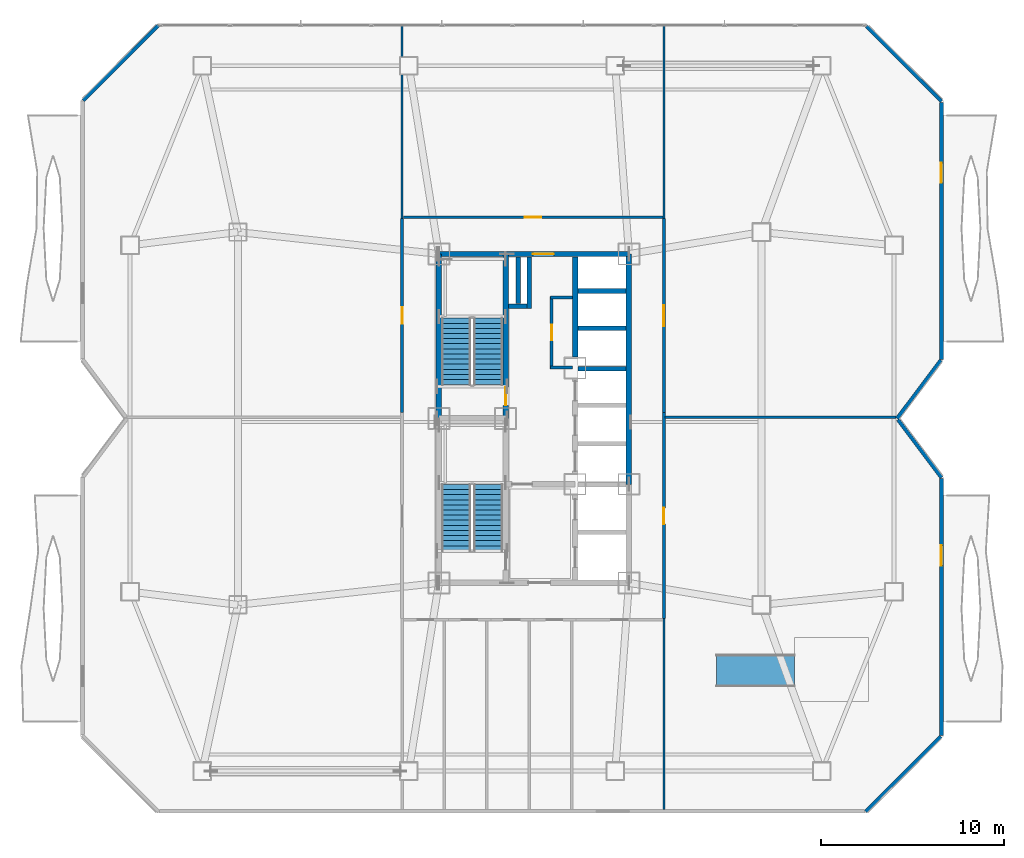
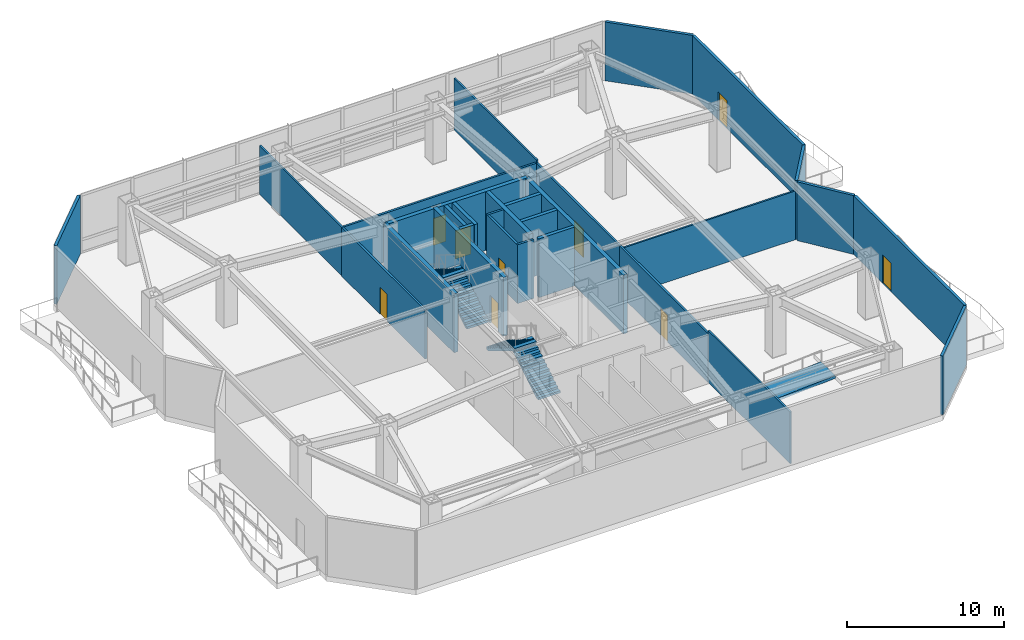
# One storey, part 10 of 14: 29 walls, 9 doors, 4 stair flights, 1 ramp flight, 9 openings, 3 elements without a shape of their own.
"""IFC4 building model written with IfcOpenShell, lengths in metres."""

from ifc_helpers import new_model, si_unit, direction, frame, frame_2d, origin, place, context, subcontext, project, spatial, polyline, rectangle, outline, extrude, material, layer, layer_set, type_object, element, fill, aggregate, save


model = new_model("IFC4")

# Units and contexts
model_context = context("Model", 3, precision=1e-05, world=origin(), true_north=direction((0.0, 1.0)))
body_context = subcontext(model_context, "Body", "Model", "MODEL_VIEW")
ifc_project = project(units=[si_unit("LENGTHUNIT", "METRE"), si_unit("AREAUNIT", "SQUARE_METRE"), si_unit("VOLUMEUNIT", "CUBIC_METRE"), si_unit("PLANEANGLEUNIT", "RADIAN"), si_unit("MASSUNIT", "GRAM", prefix="KILO")], contexts=[model_context])

# Site, building, storey
site_placement = place(None, origin())
site = spatial("IfcSite", under=ifc_project, at=site_placement, CompositionType="ELEMENT")
building_placement = place(site_placement, origin())
building = spatial("IfcBuilding", under=site, at=building_placement, Name="Khamvora Tower", CompositionType="ELEMENT")
storey_placement = place(building_placement, frame((0.0, 0.0, 89.800048828125)))
storey = spatial("IfcBuildingStorey", under=building, at=storey_placement, Name="L22", CompositionType="ELEMENT", Elevation=89.800048828125)

# Wall
ifc_material_1 = material(Name="Concrete C50/60", Category="concrete")
ifc_layer_1 = layer(ifc_material_1, 0.300048828125)
ifc_layer_set_1 = layer_set([ifc_layer_1], Name="Concrete C50/60")
wall_type_1 = type_object("IfcWallType", Name="WAL-CORE-300", PredefinedType="SHEAR", material=ifc_layer_set_1)
wall_1_placement = place(storey_placement, frame((29.0, 28.0, 0.0), z_axis=(0.0, 0.0, 1.0), x_axis=(0.0, 1.0, 0.0)))
element("IfcWall", 1, at=wall_1_placement, inside=storey, type_object=wall_type_1, Name="L22 central core west north wall", PredefinedType="SHEAR", context=body_context, shape_type="SweptSolid", body=[
    extrude(rectangle(XDim=9.0, YDim=0.300048828125, at=frame_2d((4.5, 0.0))), origin(), (0.0, 0.0, 1.0), 4.579833984375),
])

# Wall, opening, door
wall_2_placement = place(storey_placement, frame((29.0, 37.0, 0.0), z_axis=(0.0, 0.0, 1.0), x_axis=(1.0, 0.0, 0.0)))
wall_2 = element("IfcWall", 2, at=wall_2_placement, inside=storey, type_object=wall_type_1, Name="L22 central core north wall", PredefinedType="SHEAR", context=body_context, shape_type="SweptSolid", body=[
    extrude(rectangle(XDim=10.39990234375, YDim=0.300048828125, at=frame_2d((5.199951171875, 0.0))), origin(), (0.0, 0.0, 1.0), 4.579833984375),
])
opening_1_placement = place(wall_2_placement, frame((5.139892578125, 0.0, 0.0)))
opening_1 = element("IfcOpeningElement", 3, at=opening_1_placement, cuts=wall_2, Name="Opening D-SC1", PredefinedType="OPENING", context=body_context, shape_type="SweptSolid", body=[
    extrude(rectangle(XDim=1.14990234375, YDim=2.199951171875, at=frame_2d((0.574951171875, 1.10009765625))), frame((0.0, 0.159912109375, 0.0), z_axis=(0.0, -1.0, 0.0), x_axis=(1.0, 0.0, 0.0)), (0.0, 0.0, 1.0), 0.320068359375),
])
ifc_material_2 = material(Name="Powder-Coated Steel and Hardwood Leaf", Category="steel")
door_type_1 = type_object("IfcDoorType", Name="DOR-SCHL-1150", OperationType="NOTDEFINED", PredefinedType="DOOR", material=ifc_material_2)
door_1_placement = place(opening_1_placement, origin())
door_1 = element("IfcDoor", 4, at=door_1_placement, inside=storey, type_object=door_type_1, Name="L22 north core lobby to corridor fire door", OperationType="SINGLE_SWING_LEFT", OverallHeight=2.199951171875, OverallWidth=1.14990234375, PredefinedType="DOOR", context=body_context, shape_type="SweptSolid", body=[
    extrude(rectangle(XDim=1.14990234375, YDim=2.199951171875, at=frame_2d((0.574951171875, 1.10009765625))), frame((0.0, 0.02490234375, 0.0), z_axis=(0.0, -1.0, 0.0), x_axis=(1.0, 0.0, 0.0)), (0.0, 0.0, 1.0), 0.050048828125),
])
fill(opening_1, door_1)

# Wall
wall_3_placement = place(storey_placement, frame((39.39990234375, 24.39990234375, 0.0), z_axis=(0.0, 0.0, 1.0), x_axis=(0.0, 1.0, 0.0)))
element("IfcWall", 5, at=wall_3_placement, inside=storey, type_object=wall_type_1, Name="L22 central core east north wall", PredefinedType="SHEAR", context=body_context, shape_type="SweptSolid", body=[
    extrude(rectangle(XDim=12.60009765625, YDim=0.300048828125, at=frame_2d((6.300048828125, 0.0))), origin(), (0.0, 0.0, 1.0), 4.579833984375),
])

# Wall, opening, door
wall_4_placement = place(storey_placement, frame((32.64990234375, 28.0, 0.0), z_axis=(0.0, 0.0, 1.0), x_axis=(0.0, 1.0, 0.0)))
wall_4 = element("IfcWall", 6, at=wall_4_placement, inside=storey, type_object=wall_type_1, Name="L22 central core stair north spine wall", PredefinedType="SHEAR", context=body_context, shape_type="SweptSolid", body=[
    extrude(rectangle(XDim=9.0, YDim=0.300048828125, at=frame_2d((4.5, 0.0))), origin(), (0.0, 0.0, 1.0), 4.579833984375),
])
opening_2_placement = place(wall_4_placement, frame((0.719970703125, 0.0, 0.0)))
opening_2 = element("IfcOpeningElement", 7, at=opening_2_placement, cuts=wall_4, Name="Opening D-ST1", PredefinedType="OPENING", context=body_context, shape_type="SweptSolid", body=[
    extrude(rectangle(XDim=1.0, YDim=2.14990234375, at=frame_2d((0.5, 1.074951171875))), frame((0.0, 0.159912109375, 0.0), z_axis=(0.0, -1.0, 0.0), x_axis=(1.0, 0.0, 0.0)), (0.0, 0.0, 1.0), 0.320068359375),
])
door_type_2 = type_object("IfcDoorType", Name="DOR-STAIR-1000", OperationType="NOTDEFINED", PredefinedType="DOOR", material=ifc_material_2)
door_2_placement = place(opening_2_placement, origin())
door_2 = element("IfcDoor", 8, at=door_2_placement, inside=storey, type_object=door_type_2, Name="L22 exit stair ST-02 fire door", OperationType="SINGLE_SWING_RIGHT", OverallHeight=2.14990234375, OverallWidth=1.0, PredefinedType="DOOR", context=body_context, shape_type="SweptSolid", body=[
    extrude(rectangle(XDim=1.0, YDim=2.14990234375, at=frame_2d((0.5, 1.074951171875))), frame((0.0, 0.02490234375, 0.0), z_axis=(0.0, -1.0, 0.0), x_axis=(1.0, 0.0, 0.0)), (0.0, 0.0, 1.0), 0.050048828125),
])
fill(opening_2, door_2)

# Walls
wall_5_placement = place(storey_placement, frame((36.449951171875, 31.35009765625, 0.0), z_axis=(0.0, 0.0, 1.0), x_axis=(0.0, 1.0, 0.0)))
element("IfcWall", 9, at=wall_5_placement, inside=storey, type_object=wall_type_1, Name="L22 central core lift bank north wall", PredefinedType="SHEAR", context=body_context, shape_type="SweptSolid", body=[
    extrude(rectangle(XDim=5.495849609375, YDim=0.300048828125, at=frame_2d((2.748046875, 0.0))), origin(), (0.0, 0.0, 1.0), 4.579833984375),
])
ifc_material_3 = material(Name="Fire-Rated Drywall and Steel Stud", Category="steel")
ifc_layer_2 = layer(ifc_material_3, 0.14990234375)
ifc_layer_set_2 = layer_set([ifc_layer_2], Name="Fire-Rated Drywall and Steel Stud")
wall_type_2 = type_object("IfcWallType", Name="WAL-CORR-150", PredefinedType="STANDARD", material=ifc_layer_set_2)
wall_6_placement = place(storey_placement, frame((36.305908203125, 34.614990234375, 0.0), z_axis=(0.0, 0.0, 1.0), x_axis=(-1.0, 0.0, 0.0)))
element("IfcWall", 10, at=wall_6_placement, inside=storey, type_object=wall_type_2, Name="L22 interior partition wall 001", PredefinedType="STANDARD", context=body_context, shape_type="SweptSolid", body=[
    extrude(rectangle(XDim=1.205810546875, YDim=0.14990234375, at=frame_2d((0.60302734375, 0.0))), origin(), (0.0, 0.0, 1.0), 4.579833984375),
])

# Wall, opening, door
wall_7_placement = place(storey_placement, frame((35.1650390625, 34.677978515625, 0.0), z_axis=(0.0, 0.0, 1.0), x_axis=(0.0, -1.0, 0.0)))
wall_7 = element("IfcWall", 11, at=wall_7_placement, inside=storey, type_object=wall_type_2, Name="L22 interior partition wall 002", PredefinedType="STANDARD", context=body_context, shape_type="SweptSolid", body=[
    extrude(rectangle(XDim=3.9580078125, YDim=0.14990234375, at=frame_2d((1.97900390625, 0.0))), origin(), (0.0, 0.0, 1.0), 4.579833984375),
])
opening_3_placement = place(wall_7_placement, frame((1.553955078125, 0.0, 0.0)))
opening_3 = element("IfcOpeningElement", 12, at=opening_3_placement, cuts=wall_7, Name="Opening D-WC1", PredefinedType="OPENING", context=body_context, shape_type="SweptSolid", body=[
    extrude(rectangle(XDim=0.85009765625, YDim=2.10009765625, at=frame_2d((0.425048828125, 1.050048828125))), frame((0.0, 0.0849609375, 0.0), z_axis=(0.0, -1.0, 0.0), x_axis=(1.0, 0.0, 0.0)), (0.0, 0.0, 1.0), 0.169921875),
])
door_type_3 = type_object("IfcDoorType", Name="DOR-WET-850", OperationType="NOTDEFINED", PredefinedType="DOOR", material=ifc_material_2)
door_3_placement = place(opening_3_placement, origin())
door_3 = element("IfcDoor", 13, at=door_3_placement, inside=storey, type_object=door_type_3, Name="L22 interior door PLL-CS1", OperationType="SINGLE_SWING_RIGHT", OverallHeight=2.10009765625, OverallWidth=0.85009765625, PredefinedType="DOOR", context=body_context, shape_type="SweptSolid", body=[
    extrude(rectangle(XDim=0.85009765625, YDim=2.10009765625, at=frame_2d((0.425048828125, 1.050048828125))), frame((0.0, 0.02490234375, 0.0), z_axis=(0.0, -1.0, 0.0), x_axis=(1.0, 0.0, 0.0)), (0.0, 0.0, 1.0), 0.050048828125),
])
fill(opening_3, door_3)

# Wall
wall_8_placement = place(storey_placement, frame((35.10205078125, 30.784912109375, 0.0), z_axis=(0.0, 0.0, 1.0), x_axis=(1.0, 0.0, 0.0)))
element("IfcWall", 14, at=wall_8_placement, inside=storey, type_object=wall_type_2, Name="L22 interior partition wall 003", PredefinedType="STANDARD", context=body_context, shape_type="SweptSolid", body=[
    extrude(rectangle(XDim=1.197998046875, YDim=0.14990234375, at=frame_2d((0.59912109375, 0.0))), origin(), (0.0, 0.0, 1.0), 4.579833984375),
])

# Wall, opening, door
wall_9_placement = place(storey_placement, frame((41.31494140625, 28.31396484375, 0.0), z_axis=(0.0, 0.0, 1.0), x_axis=(0.0, -1.0, 0.0)))
wall_9 = element("IfcWall", 15, at=wall_9_placement, inside=storey, type_object=wall_type_2, Name="L22 interior partition wall 004", PredefinedType="STANDARD", context=body_context, shape_type="SweptSolid", body=[
    extrude(rectangle(XDim=11.263916015625, YDim=0.14990234375, at=frame_2d((5.6318359375, 0.0))), origin(), (0.0, 0.0, 1.0), 3.796875),
])
opening_4_placement = place(wall_9_placement, frame((5.202880859375, 0.0, 0.0)))
opening_4 = element("IfcOpeningElement", 16, at=opening_4_placement, cuts=wall_9, Name="Opening D-RM1", PredefinedType="OPENING", context=body_context, shape_type="SweptSolid", body=[
    extrude(rectangle(XDim=0.89990234375, YDim=2.10009765625, at=frame_2d((0.449951171875, 1.050048828125))), frame((0.0, 0.0849609375, 0.0), z_axis=(0.0, -1.0, 0.0), x_axis=(1.0, 0.0, 0.0)), (0.0, 0.0, 1.0), 0.169921875),
])
door_type_4 = type_object("IfcDoorType", Name="DOR-ROOM-900", OperationType="NOTDEFINED", PredefinedType="DOOR", material=ifc_material_2)
door_4_placement = place(opening_4_placement, origin())
door_4 = element("IfcDoor", 17, at=door_4_placement, inside=storey, type_object=door_type_4, Name="L22 interior door ACOR-BOTL", OperationType="SINGLE_SWING_LEFT", OverallHeight=2.10009765625, OverallWidth=0.89990234375, PredefinedType="DOOR", context=body_context, shape_type="SweptSolid", body=[
    extrude(rectangle(XDim=0.89990234375, YDim=2.10009765625, at=frame_2d((0.449951171875, 1.050048828125))), frame((0.0, 0.02490234375, 0.0), z_axis=(0.0, -1.0, 0.0), x_axis=(1.0, 0.0, 0.0)), (0.0, 0.0, 1.0), 0.050048828125),
])
fill(opening_4, door_4)

wall_10_placement = place(storey_placement, frame((26.985107421875, 28.31396484375, 0.0), z_axis=(0.0, 0.0, 1.0), x_axis=(0.0, 1.0, 0.0)))
wall_10 = element("IfcWall", 18, at=wall_10_placement, inside=storey, type_object=wall_type_2, Name="L22 interior partition wall 006", PredefinedType="STANDARD", context=body_context, shape_type="SweptSolid", body=[
    extrude(rectangle(XDim=10.635986328125, YDim=0.14990234375, at=frame_2d((5.31787109375, 0.0))), origin(), (0.0, 0.0, 1.0), 3.796875),
])
opening_5_placement = place(wall_10_placement, frame((4.867919921875, 0.0, 0.0)))
opening_5 = element("IfcOpeningElement", 19, at=opening_5_placement, cuts=wall_10, Name="Opening D-RM1", PredefinedType="OPENING", context=body_context, shape_type="SweptSolid", body=[
    extrude(rectangle(XDim=0.89990234375, YDim=2.10009765625, at=frame_2d((0.449951171875, 1.050048828125))), frame((0.0, 0.0849609375, 0.0), z_axis=(0.0, -1.0, 0.0), x_axis=(1.0, 0.0, 0.0)), (0.0, 0.0, 1.0), 0.169921875),
])
door_5_placement = place(opening_5_placement, origin())
door_5 = element("IfcDoor", 20, at=door_5_placement, inside=storey, type_object=door_type_4, Name="L22 interior door ACOR-PLAY", OperationType="SINGLE_SWING_LEFT", OverallHeight=2.10009765625, OverallWidth=0.89990234375, PredefinedType="DOOR", context=body_context, shape_type="SweptSolid", body=[
    extrude(rectangle(XDim=0.89990234375, YDim=2.10009765625, at=frame_2d((0.449951171875, 1.050048828125))), frame((0.0, 0.02490234375, 0.0), z_axis=(0.0, -1.0, 0.0), x_axis=(1.0, 0.0, 0.0)), (0.0, 0.0, 1.0), 0.050048828125),
])
fill(opening_5, door_5)

wall_11_placement = place(storey_placement, frame((41.31494140625, 38.949951171875, 0.0), z_axis=(0.0, 0.0, 1.0), x_axis=(0.0, -1.0, 0.0)))
wall_11 = element("IfcWall", 21, at=wall_11_placement, inside=storey, type_object=wall_type_2, Name="L22 interior partition wall 007", PredefinedType="STANDARD", context=body_context, shape_type="SweptSolid", body=[
    extrude(rectangle(XDim=10.635986328125, YDim=0.14990234375, at=frame_2d((5.31787109375, 0.0))), origin(), (0.0, 0.0, 1.0), 3.796875),
])
opening_6_placement = place(wall_11_placement, frame((4.742919921875, 0.0, 0.0)))
opening_6 = element("IfcOpeningElement", 22, at=opening_6_placement, cuts=wall_11, Name="Opening D-SC1", PredefinedType="OPENING", context=body_context, shape_type="SweptSolid", body=[
    extrude(rectangle(XDim=1.14990234375, YDim=2.199951171875, at=frame_2d((0.574951171875, 1.10009765625))), frame((0.0, 0.0849609375, 0.0), z_axis=(0.0, -1.0, 0.0), x_axis=(1.0, 0.0, 0.0)), (0.0, 0.0, 1.0), 0.169921875),
])
door_6_placement = place(opening_6_placement, origin())
door_6 = element("IfcDoor", 23, at=door_6_placement, inside=storey, type_object=door_type_1, Name="L22 interior door ACOR-YOGA", OperationType="SINGLE_SWING_RIGHT", OverallHeight=2.199951171875, OverallWidth=1.14990234375, PredefinedType="DOOR", context=body_context, shape_type="SweptSolid", body=[
    extrude(rectangle(XDim=1.14990234375, YDim=2.199951171875, at=frame_2d((0.574951171875, 1.10009765625))), frame((0.0, 0.02490234375, 0.0), z_axis=(0.0, -1.0, 0.0), x_axis=(1.0, 0.0, 0.0)), (0.0, 0.0, 1.0), 0.050048828125),
])
fill(opening_6, door_6)

wall_12_placement = place(storey_placement, frame((27.050048828125, 39.014892578125, 0.0), z_axis=(0.0, 0.0, 1.0), x_axis=(1.0, 0.0, 0.0)))
wall_12 = element("IfcWall", 24, at=wall_12_placement, inside=storey, type_object=wall_type_2, Name="L22 interior partition wall 013", PredefinedType="STANDARD", context=body_context, shape_type="SweptSolid", body=[
    extrude(rectangle(XDim=14.199951171875, YDim=0.14990234375, at=frame_2d((7.10009765625, 0.0))), origin(), (0.0, 0.0, 1.0), 3.796875),
])
opening_7_placement = place(wall_12_placement, frame((6.64990234375, 0.0, 0.0)))
opening_7 = element("IfcOpeningElement", 25, at=opening_7_placement, cuts=wall_12, Name="Opening D-RM1", PredefinedType="OPENING", context=body_context, shape_type="SweptSolid", body=[
    extrude(rectangle(XDim=0.89990234375, YDim=2.10009765625, at=frame_2d((0.449951171875, 1.050048828125))), frame((0.0, 0.0849609375, 0.0), z_axis=(0.0, -1.0, 0.0), x_axis=(1.0, 0.0, 0.0)), (0.0, 0.0, 1.0), 0.169921875),
])
door_7_placement = place(opening_7_placement, origin())
door_7 = element("IfcDoor", 26, at=door_7_placement, inside=storey, type_object=door_type_4, Name="L22 interior door ACOR-ASTR", OperationType="SINGLE_SWING_RIGHT", OverallHeight=2.10009765625, OverallWidth=0.89990234375, PredefinedType="DOOR", context=body_context, shape_type="SweptSolid", body=[
    extrude(rectangle(XDim=0.89990234375, YDim=2.10009765625, at=frame_2d((0.449951171875, 1.050048828125))), frame((0.0, 0.02490234375, 0.0), z_axis=(0.0, -1.0, 0.0), x_axis=(1.0, 0.0, 0.0)), (0.0, 0.0, 1.0), 0.050048828125),
])
fill(opening_7, door_7)

# Walls
ifc_material_4 = material(Name="Precast concrete C40/50", Category="concrete")
ifc_layer_3 = layer(ifc_material_4, 0.199951171875)
ifc_layer_set_3 = layer_set([ifc_layer_3], Name="Precast concrete C40/50")
wall_type_3 = type_object("IfcWallType", Name="WAL-EXT-200", PredefinedType="STANDARD", material=ifc_layer_set_3)
wall_13_placement = place(storey_placement, frame((9.5439453125, 45.403076171875, 0.0), z_axis=(0.0, 0.0, 1.0), x_axis=(0.707127848917, 0.707085712828, 0.0)))
element("IfcWall", 27, at=wall_13_placement, inside=storey, type_object=wall_type_3, Name="L22 exterior facade wall 06.1", PredefinedType="STANDARD", context=body_context, shape_type="SweptSolid", body=[
    extrude(rectangle(XDim=5.794189453125, YDim=0.199951171875, at=frame_2d((2.89697265625, 0.0))), origin(), (0.0, 0.0, 1.0), 4.579833984375),
])
wall_14_placement = place(storey_placement, frame((52.404052734375, 49.455078125, 0.0), z_axis=(0.0, 0.0, 1.0), x_axis=(0.707085707805, -0.70712785394, 0.0)))
element("IfcWall", 28, at=wall_14_placement, inside=storey, type_object=wall_type_3, Name="L22 exterior facade wall 08.1", PredefinedType="STANDARD", context=body_context, shape_type="SweptSolid", body=[
    extrude(rectangle(XDim=5.792724609375, YDim=0.199951171875, at=frame_2d((2.896484375, 0.0))), origin(), (0.0, 0.0, 1.0), 4.579833984375),
])

# Wall, opening, door
wall_15_placement = place(storey_placement, frame((56.5, 45.2958984375, 0.0), z_axis=(0.0, 0.0, 1.0), x_axis=(0.0, -1.0, 0.0)))
wall_15 = element("IfcWall", 29, at=wall_15_placement, inside=storey, type_object=wall_type_3, Name="L22 exterior facade wall 09.1", PredefinedType="STANDARD", context=body_context, shape_type="SweptSolid", body=[
    extrude(rectangle(XDim=14.06298828125, YDim=0.199951171875, at=frame_2d((7.031494140625, 0.0))), origin(), (0.0, 0.0, 1.0), 4.579833984375),
])
opening_8_placement = place(wall_15_placement, frame((3.302978515625, 0.0, 0.0)))
opening_8 = element("IfcOpeningElement", 30, at=opening_8_placement, cuts=wall_15, Name="Opening BD-01", PredefinedType="OPENING", context=body_context, shape_type="SweptSolid", body=[
    extrude(rectangle(XDim=1.10009765625, YDim=2.199951171875, at=frame_2d((0.550048828125, 1.10009765625))), frame((0.0, 0.10986328125, 0.0), z_axis=(0.0, -1.0, 0.0), x_axis=(1.0, 0.0, 0.0)), (0.0, 0.0, 1.0), 0.219970703125),
])
ifc_material_5 = material(Name="Anodised Aluminium and Laminated Safety Glass", Category="aluminium")
door_type_5 = type_object("IfcDoorType", Name="DOR-BAL-1100", OperationType="NOTDEFINED", PredefinedType="DOOR", material=ifc_material_5)
door_8_placement = place(opening_8_placement, origin())
door_8 = element("IfcDoor", 31, at=door_8_placement, inside=storey, type_object=door_type_5, Name="L22 lens gallery balcony door EL2", OperationType="SLIDING_TO_LEFT", OverallHeight=2.199951171875, OverallWidth=1.10009765625, PredefinedType="DOOR", context=body_context, shape_type="SweptSolid", body=[
    extrude(rectangle(XDim=1.10009765625, YDim=2.199951171875, at=frame_2d((0.550048828125, 1.10009765625))), frame((0.0, 0.02490234375, 0.0), z_axis=(0.0, -1.0, 0.0), x_axis=(1.0, 0.0, 0.0)), (0.0, 0.0, 1.0), 0.050048828125),
])
fill(opening_8, door_8)

# Walls
wall_16_placement = place(storey_placement, frame((56.468994140625, 31.19091796875, 0.0), z_axis=(0.0, 0.0, 1.0), x_axis=(-0.600137081448, -0.799897170561, 0.0)))
element("IfcWall", 32, at=wall_16_placement, inside=storey, type_object=wall_type_3, Name="L22 exterior facade wall 10.1", PredefinedType="STANDARD", context=body_context, shape_type="SweptSolid", body=[
    extrude(rectangle(XDim=3.9892578125, YDim=0.199951171875, at=frame_2d((1.99462890625, 0.0))), origin(), (0.0, 0.0, 1.0), 4.579833984375),
])
wall_17_placement = place(storey_placement, frame((54.126953125, 27.930908203125, 0.0), z_axis=(0.0, 0.0, 1.0), x_axis=(0.600029630681, -0.799977776132, 0.0)))
element("IfcWall", 33, at=wall_17_placement, inside=storey, type_object=wall_type_3, Name="L22 exterior facade wall 11.1", PredefinedType="STANDARD", context=body_context, shape_type="SweptSolid", body=[
    extrude(rectangle(XDim=3.954833984375, YDim=0.199951171875, at=frame_2d((1.9775390625, 0.0))), origin(), (0.0, 0.0, 1.0), 4.579833984375),
])

# Wall, opening, door
wall_18_placement = place(storey_placement, frame((56.5, 24.717041015625, 0.0), z_axis=(0.0, 0.0, 1.0), x_axis=(0.0, -1.0, 0.0)))
wall_18 = element("IfcWall", 34, at=wall_18_placement, inside=storey, type_object=wall_type_3, Name="L22 exterior facade wall 12.1", PredefinedType="STANDARD", context=body_context, shape_type="SweptSolid", body=[
    extrude(rectangle(XDim=14.075927734375, YDim=0.199951171875, at=frame_2d((7.0380859375, 0.0))), origin(), (0.0, 0.0, 1.0), 4.579833984375),
])
opening_9_placement = place(wall_18_placement, frame((3.6640625, 0.0, 0.0)))
opening_9 = element("IfcOpeningElement", 35, at=opening_9_placement, cuts=wall_18, Name="Opening BD-01", PredefinedType="OPENING", context=body_context, shape_type="SweptSolid", body=[
    extrude(rectangle(XDim=1.10009765625, YDim=2.199951171875, at=frame_2d((0.550048828125, 1.10009765625))), frame((0.0, 0.10986328125, 0.0), z_axis=(0.0, -1.0, 0.0), x_axis=(1.0, 0.0, 0.0)), (0.0, 0.0, 1.0), 0.219970703125),
])
door_9_placement = place(opening_9_placement, origin())
door_9 = element("IfcDoor", 36, at=door_9_placement, inside=storey, type_object=door_type_5, Name="L22 lens gallery balcony door EL1", OperationType="SLIDING_TO_LEFT", OverallHeight=2.199951171875, OverallWidth=1.10009765625, PredefinedType="DOOR", context=body_context, shape_type="SweptSolid", body=[
    extrude(rectangle(XDim=1.10009765625, YDim=2.199951171875, at=frame_2d((0.550048828125, 1.10009765625))), frame((0.0, 0.02490234375, 0.0), z_axis=(0.0, -1.0, 0.0), x_axis=(1.0, 0.0, 0.0)), (0.0, 0.0, 1.0), 0.050048828125),
])
fill(opening_9, door_9)

# Walls
wall_19_placement = place(storey_placement, frame((56.45703125, 10.597900390625, 0.0), z_axis=(0.0, 0.0, 1.0), x_axis=(-0.707127843897, -0.707085717849, 0.0)))
element("IfcWall", 37, at=wall_19_placement, inside=storey, type_object=wall_type_3, Name="L22 exterior facade wall 13.1", PredefinedType="STANDARD", context=body_context, shape_type="SweptSolid", body=[
    extrude(rectangle(XDim=5.79541015625, YDim=0.199951171875, at=frame_2d((2.897705078125, 0.0))), origin(), (0.0, 0.0, 1.0), 4.579833984375),
])
ifc_material_6 = material(Name="Gypsum Plasterboard Partition", Category="gypsum")
ifc_layer_4 = layer(ifc_material_6, 0.1201171875)
ifc_layer_set_4 = layer_set([ifc_layer_4], Name="Gypsum Plasterboard Partition")
wall_type_4 = type_object("IfcWallType", Name="WAL-PART-120", PredefinedType="PARTITIONING", material=ifc_layer_set_4)
wall_20_placement = place(storey_placement, frame((41.3798828125, 28.06494140625, 0.0), z_axis=(0.0, 0.0, 1.0), x_axis=(1.0, 0.0, 0.0)))
element("IfcWall", 38, at=wall_20_placement, inside=storey, type_object=wall_type_4, Name="L22 interior partition wall 014", PredefinedType="PARTITIONING", context=body_context, shape_type="SweptSolid", body=[
    extrude(rectangle(XDim=12.64501953125, YDim=0.1201171875, at=frame_2d((6.322509765625, 0.0))), origin(), (0.0, 0.0, 1.0), 3.796875),
])
wall_21_placement = place(storey_placement, frame((41.31494140625, 6.592041015625, 0.0), z_axis=(0.0, 0.0, 1.0), x_axis=(0.0, 1.0, 0.0)))
element("IfcWall", 39, at=wall_21_placement, inside=storey, type_object=wall_type_4, Name="L22 interior partition wall 015", PredefinedType="PARTITIONING", context=body_context, shape_type="SweptSolid", body=[
    extrude(rectangle(XDim=10.4580078125, YDim=0.1201171875, at=frame_2d((5.22900390625, 0.0))), origin(), (0.0, 0.0, 1.0), 4.02587890625),
])
wall_22_placement = place(storey_placement, frame((26.985107421875, 49.489990234375, 0.0), z_axis=(0.0, 0.0, 1.0), x_axis=(0.0, -1.0, 0.0)))
element("IfcWall", 40, at=wall_22_placement, inside=storey, type_object=wall_type_4, Name="L22 interior partition wall 018", PredefinedType="PARTITIONING", context=body_context, shape_type="SweptSolid", body=[
    extrude(rectangle(XDim=10.5400390625, YDim=0.1201171875, at=frame_2d((5.27001953125, 0.0))), origin(), (0.0, 0.0, 1.0), 3.796875),
])
wall_23_placement = place(storey_placement, frame((41.31494140625, 38.949951171875, 0.0), z_axis=(0.0, 0.0, 1.0), x_axis=(0.0, 1.0, 0.0)))
element("IfcWall", 41, at=wall_23_placement, inside=storey, type_object=wall_type_4, Name="L22 interior partition wall 019", PredefinedType="PARTITIONING", context=body_context, shape_type="SweptSolid", body=[
    extrude(rectangle(XDim=10.5400390625, YDim=0.1201171875, at=frame_2d((5.27001953125, 0.0))), origin(), (0.0, 0.0, 1.0), 4.02587890625),
])
ifc_material_7 = material(Name="Concrete C40/50", Category="concrete")
ifc_layer_5 = layer(ifc_material_7, 0.25)
ifc_layer_set_5 = layer_set([ifc_layer_5], Name="Concrete C40/50")
wall_type_5 = type_object("IfcWallType", Name="WAL-PODS-250", PredefinedType="SHEAR", material=ifc_layer_set_5)
for number, where, z_axis, x_axis, name in (
    (42, (36.60400390625, 30.72509765625, 0.0), (0.0, 0.0, 1.0), (1.0, 0.0, 0.0), "L22 lift shaft divider wall PL-03"),
    (43, (36.60400390625, 32.925048828125, 0.0), (0.0, 0.0, 1.0), (1.0, 0.0, 0.0), "L22 lift shaft divider wall PH-01"),
    (44, (36.60400390625, 34.97509765625, 0.0), (0.0, 0.0, 1.0), (1.0, 0.0, 0.0), "L22 lift shaft divider wall PH-02"),
):
    element("IfcWall", number, at=place(storey_placement, frame(where, z_axis=z_axis, x_axis=x_axis)), inside=storey, type_object=wall_type_5, Name=name, PredefinedType="SHEAR", context=body_context, shape_type="SweptSolid", body=[
        extrude(rectangle(XDim=2.64208984375, YDim=0.25, at=frame_2d((1.321044921875, 0.0))), origin(), (0.0, 0.0, 1.0), 4.579833984375),
    ])
wall_24_placement = place(storey_placement, frame((33.955078125, 34.02490234375, 0.0), z_axis=(0.0, 0.0, 1.0), x_axis=(0.0, 1.0, 0.0)))
element("IfcWall", 45, at=wall_24_placement, inside=storey, type_object=wall_type_5, Name="L22 vertical MEP riser shaft east enclosure wall", PredefinedType="SHEAR", context=body_context, shape_type="SweptSolid", body=[
    extrude(rectangle(XDim=2.821044921875, YDim=0.25, at=frame_2d((1.41064453125, 0.0))), origin(), (0.0, 0.0, 1.0), 4.579833984375),
])
wall_25_placement = place(storey_placement, frame((32.803955078125, 34.14990234375, 0.0), z_axis=(0.0, 0.0, 1.0), x_axis=(1.0, 0.0, 0.0)))
element("IfcWall", 46, at=wall_25_placement, inside=storey, type_object=wall_type_5, Name="L22 vertical MEP riser shaft south enclosure wall", PredefinedType="SHEAR", context=body_context, shape_type="SweptSolid", body=[
    extrude(rectangle(XDim=1.02197265625, YDim=0.25, at=frame_2d((0.510986328125, 0.0))), origin(), (0.0, 0.0, 1.0), 4.579833984375),
])
wall_26_placement = place(storey_placement, frame((33.340087890625, 34.279052734375, 0.0), z_axis=(0.0, 0.0, 1.0), x_axis=(0.0, 1.0, 0.0)))
element("IfcWall", 47, at=wall_26_placement, inside=storey, type_object=wall_type_5, Name="L22 vertical MEP riser shaft divider enclosure wall", PredefinedType="SHEAR", context=body_context, shape_type="SweptSolid", body=[
    extrude(rectangle(XDim=2.56689453125, YDim=0.25, at=frame_2d((1.283447265625, 0.0))), origin(), (0.0, 0.0, 1.0), 4.579833984375),
])

# Stair, stair flights
stair_type_1 = type_object("IfcStairType", Name="STR-ST-01", PredefinedType="HALF_TURN_STAIR", material=ifc_material_7)
stair_1_placement = place(storey_placement, origin())
stair_1 = element("IfcStair", 48, at=stair_1_placement, inside=storey, type_object=stair_type_1, Name="L22 South Tower Exit Stair ST-01", PredefinedType="HALF_TURN_STAIR")
stair_flight_type_1 = type_object("IfcStairFlightType", Name="STF-ST-01", PredefinedType="STRAIGHT", material=ifc_material_7)
stair_flight_1_placement = place(storey_placement, frame((31.699951171875, 20.75, 0.0), z_axis=(0.0, 0.0, 1.0), x_axis=(0.0, 1.0, 0.0)))
stair_flight_1 = element("IfcStairFlight", 49, at=stair_flight_1_placement, type_object=stair_flight_type_1, Name="ST-01 flight 1", NumberOfRisers=14, NumberOfTreads=13, PredefinedType="STRAIGHT", RiserHeight=0.171428571, TreadLength=0.28, context=body_context, shape_type="SweptSolid", body=[
    extrude(outline(polyline([(0.0, 0.0), (0.0, 0.17138671875), (0.280029296875, 0.17138671875), (0.280029296875, 0.3427734375), (0.56005859375, 0.3427734375), (0.56005859375, 0.514404296875), (0.840087890625, 0.514404296875), (0.840087890625, 0.685791015625), (1.1201171875, 0.685791015625), (1.1201171875, 0.857177734375), (1.39990234375, 0.857177734375), (1.39990234375, 1.028564453125), (1.679931640625, 1.028564453125), (1.679931640625, 1.199951171875), (1.9599609375, 1.199951171875), (1.9599609375, 1.371337890625), (2.239990234375, 1.371337890625), (2.239990234375, 1.54296875), (2.52001953125, 1.54296875), (2.52001953125, 1.71435546875), (2.800048828125, 1.71435546875), (2.800048828125, 1.8857421875), (3.080078125, 1.8857421875), (3.080078125, 2.05712890625), (3.360107421875, 2.05712890625), (3.360107421875, 2.228515625), (3.639892578125, 2.228515625), (3.639892578125, 2.39990234375), (3.639892578125, 2.052734375), (0.287109375, 0.0), (0.0, 0.0)])), frame((0.0, 0.800048828125, 0.0), z_axis=(0.0, -1.0, 0.0), x_axis=(1.0, 0.0, 0.0)), (0.0, 0.0, 1.0), 1.60009765625),
])
stair_flight_2_placement = place(storey_placement, frame((29.949951171875, 24.389892578125, 2.39990234375), z_axis=(0.0, 0.0, 1.0), x_axis=(0.0, -1.0, 0.0)))
stair_flight_2 = element("IfcStairFlight", 50, at=stair_flight_2_placement, type_object=stair_flight_type_1, Name="ST-01 flight 2", NumberOfRisers=14, NumberOfTreads=13, PredefinedType="STRAIGHT", RiserHeight=0.171428571, TreadLength=0.28, context=body_context, shape_type="SweptSolid", body=[
    extrude(outline(polyline([(0.0, 0.0), (0.0, 0.17138671875), (0.280029296875, 0.17138671875), (0.280029296875, 0.3427734375), (0.56005859375, 0.3427734375), (0.56005859375, 0.514404296875), (0.840087890625, 0.514404296875), (0.840087890625, 0.685791015625), (1.1201171875, 0.685791015625), (1.1201171875, 0.857177734375), (1.39990234375, 0.857177734375), (1.39990234375, 1.028564453125), (1.679931640625, 1.028564453125), (1.679931640625, 1.199951171875), (1.9599609375, 1.199951171875), (1.9599609375, 1.371337890625), (2.239990234375, 1.371337890625), (2.239990234375, 1.54296875), (2.52001953125, 1.54296875), (2.52001953125, 1.71435546875), (2.800048828125, 1.71435546875), (2.800048828125, 1.8857421875), (3.080078125, 1.8857421875), (3.080078125, 2.05712890625), (3.360107421875, 2.05712890625), (3.360107421875, 2.228515625), (3.639892578125, 2.228515625), (3.639892578125, 2.39990234375), (3.639892578125, 2.052734375), (0.287109375, 0.0), (0.0, 0.0)])), frame((0.0, 0.800048828125, 0.0), z_axis=(0.0, -1.0, 0.0), x_axis=(1.0, 0.0, 0.0)), (0.0, 0.0, 1.0), 1.60009765625),
])
aggregate(stair_1, [stair_flight_1, stair_flight_2])

stair_type_2 = type_object("IfcStairType", Name="STR-ST-02", PredefinedType="HALF_TURN_STAIR", material=ifc_material_7)
stair_2_placement = place(storey_placement, origin())
stair_2 = element("IfcStair", 51, at=stair_2_placement, inside=storey, type_object=stair_type_2, Name="L22 North Tower Exit Stair ST-02", PredefinedType="HALF_TURN_STAIR")
stair_flight_type_2 = type_object("IfcStairFlightType", Name="STF-ST-02", PredefinedType="STRAIGHT", material=ifc_material_7)
stair_flight_3_placement = place(storey_placement, frame((31.699951171875, 29.85009765625, 0.0), z_axis=(0.0, 0.0, 1.0), x_axis=(0.0, 1.0, 0.0)))
stair_flight_3 = element("IfcStairFlight", 52, at=stair_flight_3_placement, type_object=stair_flight_type_2, Name="ST-02 flight 1", NumberOfRisers=14, NumberOfTreads=13, PredefinedType="STRAIGHT", RiserHeight=0.171428571, TreadLength=0.28, context=body_context, shape_type="SweptSolid", body=[
    extrude(outline(polyline([(0.0, 0.0), (0.0, 0.17138671875), (0.280029296875, 0.17138671875), (0.280029296875, 0.3427734375), (0.56005859375, 0.3427734375), (0.56005859375, 0.514404296875), (0.840087890625, 0.514404296875), (0.840087890625, 0.685791015625), (1.1201171875, 0.685791015625), (1.1201171875, 0.857177734375), (1.39990234375, 0.857177734375), (1.39990234375, 1.028564453125), (1.679931640625, 1.028564453125), (1.679931640625, 1.199951171875), (1.9599609375, 1.199951171875), (1.9599609375, 1.371337890625), (2.239990234375, 1.371337890625), (2.239990234375, 1.54296875), (2.52001953125, 1.54296875), (2.52001953125, 1.71435546875), (2.800048828125, 1.71435546875), (2.800048828125, 1.8857421875), (3.080078125, 1.8857421875), (3.080078125, 2.05712890625), (3.360107421875, 2.05712890625), (3.360107421875, 2.228515625), (3.639892578125, 2.228515625), (3.639892578125, 2.39990234375), (3.639892578125, 2.052734375), (0.287109375, 0.0), (0.0, 0.0)])), frame((0.0, 0.800048828125, 0.0), z_axis=(0.0, -1.0, 0.0), x_axis=(1.0, 0.0, 0.0)), (0.0, 0.0, 1.0), 1.60009765625),
])
stair_flight_4_placement = place(storey_placement, frame((29.949951171875, 33.489990234375, 2.39990234375), z_axis=(0.0, 0.0, 1.0), x_axis=(0.0, -1.0, 0.0)))
stair_flight_4 = element("IfcStairFlight", 53, at=stair_flight_4_placement, type_object=stair_flight_type_2, Name="ST-02 flight 2", NumberOfRisers=14, NumberOfTreads=13, PredefinedType="STRAIGHT", RiserHeight=0.171428571, TreadLength=0.28, context=body_context, shape_type="SweptSolid", body=[
    extrude(outline(polyline([(0.0, 0.0), (0.0, 0.17138671875), (0.280029296875, 0.17138671875), (0.280029296875, 0.3427734375), (0.56005859375, 0.3427734375), (0.56005859375, 0.514404296875), (0.840087890625, 0.514404296875), (0.840087890625, 0.685791015625), (1.1201171875, 0.685791015625), (1.1201171875, 0.857177734375), (1.39990234375, 0.857177734375), (1.39990234375, 1.028564453125), (1.679931640625, 1.028564453125), (1.679931640625, 1.199951171875), (1.9599609375, 1.199951171875), (1.9599609375, 1.371337890625), (2.239990234375, 1.371337890625), (2.239990234375, 1.54296875), (2.52001953125, 1.54296875), (2.52001953125, 1.71435546875), (2.800048828125, 1.71435546875), (2.800048828125, 1.8857421875), (3.080078125, 1.8857421875), (3.080078125, 2.05712890625), (3.360107421875, 2.05712890625), (3.360107421875, 2.228515625), (3.639892578125, 2.228515625), (3.639892578125, 2.39990234375), (3.639892578125, 2.052734375), (0.287109375, 0.0), (0.0, 0.0)])), frame((0.0, 0.800048828125, 0.0), z_axis=(0.0, -1.0, 0.0), x_axis=(1.0, 0.0, 0.0)), (0.0, 0.0, 1.0), 1.60009765625),
])
aggregate(stair_2, [stair_flight_3, stair_flight_4])

# Ramp, ramp flight
ramp_type = type_object("IfcRampType", Name="RMP-ACC-1800", PredefinedType="STRAIGHT_RUN_RAMP", material=ifc_material_7)
ramp_placement = place(storey_placement, origin())
ramp = element("IfcRamp", 54, at=ramp_placement, inside=storey, type_object=ramp_type, Name="L22 Sky-Garden Accessible Planter Deck Ramp RMP-04", PredefinedType="STRAIGHT_RUN_RAMP")
ifc_layer_6 = layer(ifc_material_7, 0.219970703125)
ifc_layer_set_6 = layer_set([ifc_layer_6], Name="Concrete C40/50")
ramp_flight_type = type_object("IfcRampFlightType", Name="RMF-ACC-1800", PredefinedType="STRAIGHT", material=ifc_layer_set_6)
ramp_flight_placement = place(storey_placement, frame((44.199951171875, 13.300048828125, 0.0), z_axis=(-0.065746684793, 0.0, 0.99783634602), x_axis=(0.99783634602, 0.0, 0.065746684793)))
ramp_flight = element("IfcRampFlight", 55, at=ramp_flight_placement, type_object=ramp_flight_type, Name="L22 Sky-Garden Accessible Planter Deck Ramp RMP-04 flight", PredefinedType="STRAIGHT", context=body_context, shape_type="SweptSolid", body=[
    extrude(outline(polyline([(0.0, 0.0), (4.25921546849984, 0.0), (4.25921546849984, 1.800048828125), (0.0, 1.800048828125), (0.0, 0.0)])), origin(), (0.0, 0.0, -1.0), 0.219970703125),
])
aggregate(ramp, [ramp_flight])

save(model, "model.ifc")
